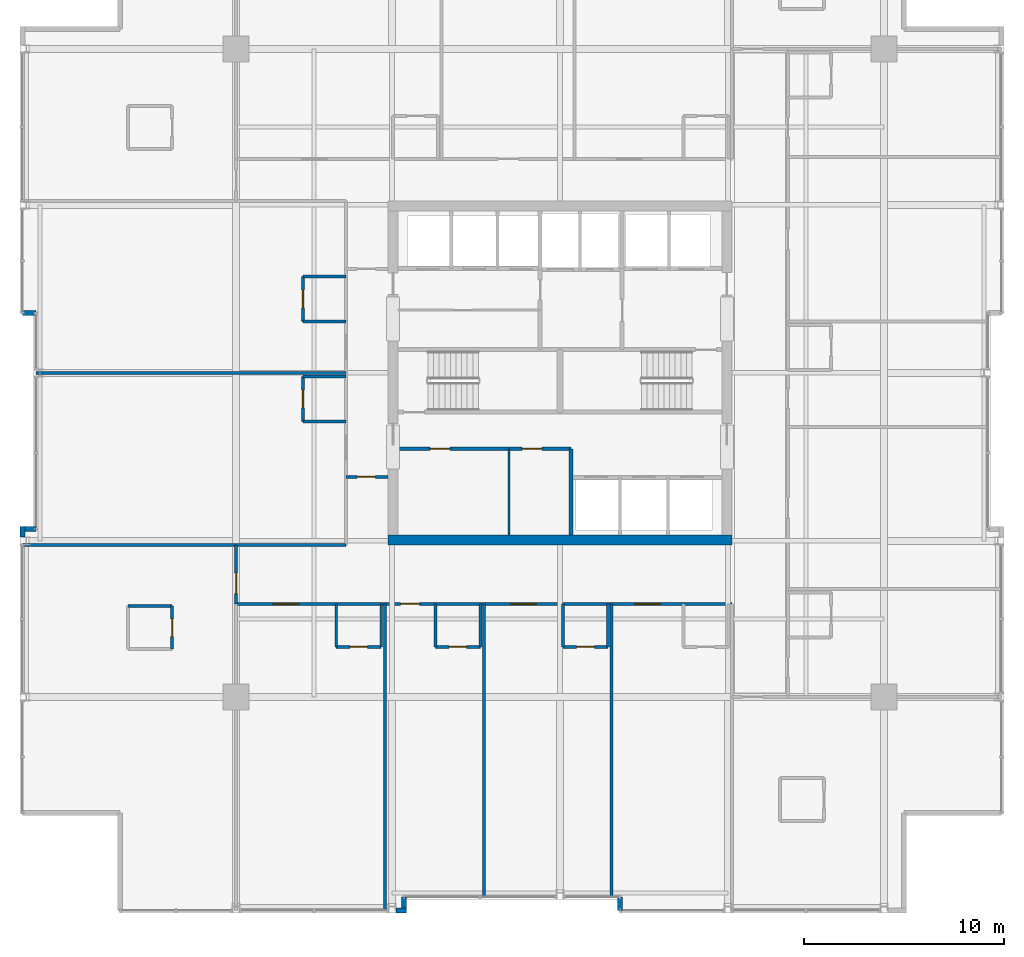
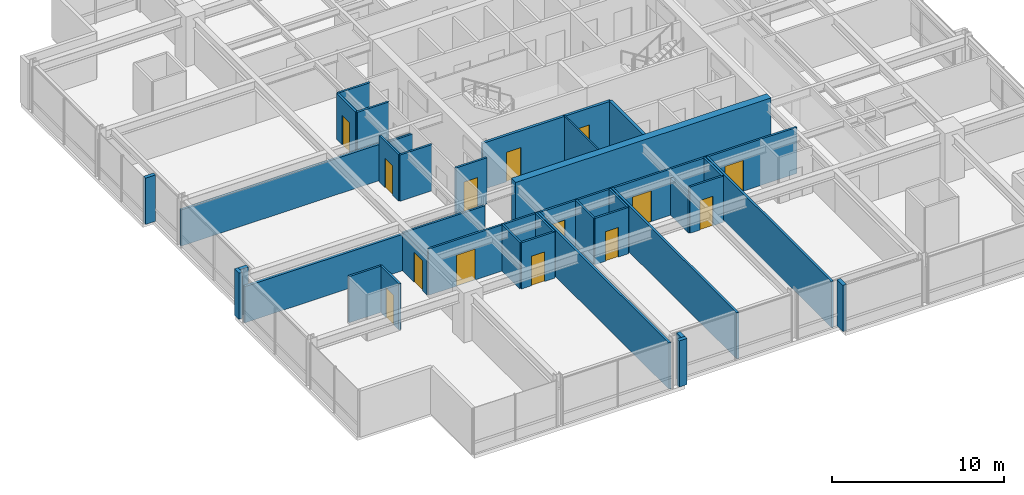
# One storey, part 27 of 33: 36 walls, 14 doors, 14 openings.
"""IFC4 building model written with IfcOpenShell, lengths in metres."""

from ifc_helpers import new_model, si_unit, direction, frame, frame_2d, origin, place, context, subcontext, project, spatial, rectangle, extrude, material, layer, layer_set, type_object, element, fill, save


model = new_model("IFC4")

# Units and contexts
model_context = context("Model", 3, precision=1e-05, world=origin(), true_north=direction((0.0, 1.0)))
body_context = subcontext(model_context, "Body", "Model", "MODEL_VIEW")
ifc_project = project(units=[si_unit("LENGTHUNIT", "METRE"), si_unit("AREAUNIT", "SQUARE_METRE"), si_unit("VOLUMEUNIT", "CUBIC_METRE"), si_unit("PLANEANGLEUNIT", "RADIAN"), si_unit("MASSUNIT", "GRAM", prefix="KILO")], contexts=[model_context])

# Site, building, storey
site_placement = place(None, origin())
site = spatial("IfcSite", under=ifc_project, at=site_placement, CompositionType="ELEMENT")
building_placement = place(site_placement, origin())
building = spatial("IfcBuilding", under=site, at=building_placement, Name="Drelvath Grand Hotel", CompositionType="ELEMENT")
storey_placement = place(building_placement, frame((0.0, 0.0, 171.699951171875)))
storey = spatial("IfcBuildingStorey", under=building, at=storey_placement, Name="L44", CompositionType="ELEMENT", Elevation=171.699951171875)

# Walls
ifc_material_1 = material(Name="Gypsum Partition Board")
ifc_layer_1 = layer(ifc_material_1, 0.10009765625)
ifc_layer_set_1 = layer_set([ifc_layer_1], Name="Gypsum Partition Board")
wall_type_1 = type_object("IfcWallType", Name="Core Closet Partition 100", PredefinedType="PARTITIONING", material=ifc_layer_set_1)
wall_1_placement = place(storey_placement, frame((-2.5400390625, 18.89990234375, 0.0), z_axis=(0.0, 0.0, 1.0), x_axis=(0.0, 1.0, 0.0)))
element("IfcWall", 1, at=wall_1_placement, inside=storey, type_object=wall_type_1, Name="L44 Reclaimed Core Split Wall", PredefinedType="PARTITIONING", context=body_context, shape_type="SweptSolid", body=[
    extrude(rectangle(XDim=4.300048828125, YDim=0.10009765625, at=frame_2d((2.14990234375, 0.0))), origin(), (0.0, 0.0, 1.0), 3.2900390625),
])
ifc_material_2 = material(Name="Concrete C40/50", Category="concrete")
ifc_layer_2 = layer(ifc_material_2, 0.199951171875)
ifc_layer_set_2 = layer_set([ifc_layer_2], Name="Concrete C40/50")
wall_type_2 = type_object("IfcWallType", Name="Core Hoistway Fire Wall 200", PredefinedType="SOLIDWALL", material=ifc_layer_set_2)
wall_2_placement = place(storey_placement, frame((0.550048828125, 18.89990234375, 0.0), z_axis=(0.0, 0.0, 1.0), x_axis=(0.0, 1.0, 0.0)))
element("IfcWall", 2, at=wall_2_placement, inside=storey, type_object=wall_type_2, Name="L44 Bank 2 West Wall", PredefinedType="SOLIDWALL", context=body_context, shape_type="SweptSolid", body=[
    extrude(rectangle(XDim=4.300048828125, YDim=0.199951171875, at=frame_2d((2.14990234375, 0.0))), origin(), (0.0, 0.0, 1.0), 3.2900390625),
])

# Wall, opening, door
ifc_material_3 = material(Name="Gypsum Fireboard Partition")
ifc_layer_3 = layer(ifc_material_3, 0.135009765625)
ifc_layer_set_3 = layer_set([ifc_layer_3], Name="Gypsum Fireboard Partition")
wall_type_3 = type_object("IfcWallType", Name="Corridor Fire Barrier Wall 135", PredefinedType="PARTITIONING", material=ifc_layer_set_3)
wall_3_placement = place(storey_placement, frame((-10.699951171875, 21.800048828125, 0.0), z_axis=(0.0, 0.0, 1.0), x_axis=(1.0, 0.0, 0.0)))
wall_3 = element("IfcWall", 3, at=wall_3_placement, inside=storey, type_object=wall_type_3, Name="L44 West Foyer South Wall", PredefinedType="PARTITIONING", context=body_context, shape_type="SweptSolid", body=[
    extrude(rectangle(XDim=2.099853515625, YDim=0.135009765625, at=frame_2d((1.0498046875, 0.0))), origin(), (0.0, 0.0, 1.0), 3.2900390625),
])
opening_1_placement = place(wall_3_placement, frame((0.550048828125, 0.0, 0.0)))
opening_1 = element("IfcOpeningElement", 4, at=opening_1_placement, cuts=wall_3, Name="Opening D-T3G3-022", PredefinedType="OPENING", context=body_context, shape_type="SweptSolid", body=[
    extrude(rectangle(XDim=0.919921875, YDim=2.10009765625, at=frame_2d((0.4599609375, 1.050048828125))), frame((0.0, 0.077392578125, 0.0), z_axis=(0.0, -1.0, 0.0), x_axis=(1.0, 0.0, 0.0)), (0.0, 0.0, 1.0), 0.155029296875),
])
ifc_material_4 = material(Name="Painted Steel S275", Category="steel")
door_type_1 = type_object("IfcDoorType", Name="Staff Utility Door 920x2100", OperationType="NOTDEFINED", PredefinedType="DOOR", material=ifc_material_4)
door_1_placement = place(opening_1_placement, origin())
door_1 = element("IfcDoor", 5, at=door_1_placement, inside=storey, type_object=door_type_1, Name="L44 West Linen Closet Door", OperationType="SINGLE_SWING_RIGHT", OverallHeight=2.10009765625, OverallWidth=0.919921875, PredefinedType="DOOR", context=body_context, shape_type="SweptSolid", body=[
    extrude(rectangle(XDim=0.919921875, YDim=2.10009765625, at=frame_2d((0.4599609375, 1.050048828125))), frame((0.0, 0.02490234375, 0.0), z_axis=(0.0, -1.0, 0.0), x_axis=(1.0, 0.0, 0.0)), (0.0, 0.0, 1.0), 0.050048828125),
])
fill(opening_1, door_1)

# Wall
wall_4_placement = place(storey_placement, frame((-16.199951171875, 18.39990234375, 0.0), z_axis=(0.0, 0.0, 1.0), x_axis=(1.0, 0.0, 0.0)))
element("IfcWall", 6, at=wall_4_placement, inside=storey, type_object=wall_type_3, Name="L44 SW Stub North Wall", PredefinedType="PARTITIONING", context=body_context, shape_type="SweptSolid", body=[
    extrude(rectangle(XDim=5.5, YDim=0.135009765625, at=frame_2d((2.75, 0.0))), origin(), (0.0, 0.0, 1.0), 2.66748046875),
])

# Wall, openings, doors
wall_5_placement = place(storey_placement, frame((-16.199951171875, 15.449951171875, 0.0), z_axis=(0.0, 0.0, 1.0), x_axis=(1.0, 0.0, 0.0)))
wall_5 = element("IfcWall", 7, at=wall_5_placement, inside=storey, type_object=wall_type_3, Name="L44 South Stub Corridor Wall", PredefinedType="PARTITIONING", context=body_context, shape_type="SweptSolid", body=[
    extrude(rectangle(XDim=24.800048828125, YDim=0.135009765625, at=frame_2d((12.39990234375, 0.0))), origin(), (0.0, 0.0, 1.0), 3.2900390625),
])
opening_2_placement = place(wall_5_placement, frame((1.875, 0.0, 0.0)))
opening_2 = element("IfcOpeningElement", 8, at=opening_2_placement, cuts=wall_5, Name="Opening D-T3G3-033", PredefinedType="OPENING", context=body_context, shape_type="SweptSolid", body=[
    extrude(rectangle(XDim=1.260009765625, YDim=2.199951171875, at=frame_2d((0.6298828125, 1.10009765625))), frame((0.0, 0.077392578125, 0.0), z_axis=(0.0, -1.0, 0.0), x_axis=(1.0, 0.0, 0.0)), (0.0, 0.0, 1.0), 0.155029296875),
])
opening_3_placement = place(wall_5_placement, frame((8.22509765625, 0.0, 0.0)))
opening_3 = element("IfcOpeningElement", 9, at=opening_3_placement, cuts=wall_5, Name="Opening D-T3G3-035", PredefinedType="OPENING", context=body_context, shape_type="SweptSolid", body=[
    extrude(rectangle(XDim=0.9599609375, YDim=2.14990234375, at=frame_2d((0.47998046875, 1.074951171875))), frame((0.0, 0.077392578125, 0.0), z_axis=(0.0, -1.0, 0.0), x_axis=(1.0, 0.0, 0.0)), (0.0, 0.0, 1.0), 0.155029296875),
])
opening_4_placement = place(wall_5_placement, frame((13.7451171875, 0.0, 0.0)))
opening_4 = element("IfcOpeningElement", 10, at=opening_4_placement, cuts=wall_5, Name="Opening D-T3G3-037", PredefinedType="OPENING", context=body_context, shape_type="SweptSolid", body=[
    extrude(rectangle(XDim=1.260009765625, YDim=2.199951171875, at=frame_2d((0.6298828125, 1.10009765625))), frame((0.0, 0.077392578125, 0.0), z_axis=(0.0, -1.0, 0.0), x_axis=(1.0, 0.0, 0.0)), (0.0, 0.0, 1.0), 0.155029296875),
])
opening_5_placement = place(wall_5_placement, frame((19.945068359375, 0.0, 0.0)))
opening_5 = element("IfcOpeningElement", 11, at=opening_5_placement, cuts=wall_5, Name="Opening D-T3G3-039", PredefinedType="OPENING", context=body_context, shape_type="SweptSolid", body=[
    extrude(rectangle(XDim=1.260009765625, YDim=2.199951171875, at=frame_2d((0.6298828125, 1.10009765625))), frame((0.0, 0.077392578125, 0.0), z_axis=(0.0, -1.0, 0.0), x_axis=(1.0, 0.0, 0.0)), (0.0, 0.0, 1.0), 0.155029296875),
])
ifc_material_5 = material(Name="Hardwood Walnut Timber", Category="wood")
door_type_2 = type_object("IfcDoorType", Name="Guestroom Entrance Fire Door 960x2150", OperationType="NOTDEFINED", PredefinedType="DOOR", material=ifc_material_5)
door_2_placement = place(opening_3_placement, origin())
door_2 = element("IfcDoor", 12, at=door_2_placement, inside=storey, type_object=door_type_2, Name="L44 King Guest Room Entry Door", OperationType="SINGLE_SWING_LEFT", OverallHeight=2.14990234375, OverallWidth=0.9599609375, PredefinedType="DOOR", context=body_context, shape_type="SweptSolid", body=[
    extrude(rectangle(XDim=0.9599609375, YDim=2.14990234375, at=frame_2d((0.47998046875, 1.074951171875))), frame((0.0, 0.02490234375, 0.0), z_axis=(0.0, -1.0, 0.0), x_axis=(1.0, 0.0, 0.0)), (0.0, 0.0, 1.0), 0.050048828125),
])
fill(opening_3, door_2)
door_type_3 = type_object("IfcDoorType", Name="Suite Entrance Fire Door 1260x2200", OperationType="NOTDEFINED", PredefinedType="DOOR", material=ifc_material_5)
door_3_placement = place(opening_2_placement, origin())
door_3 = element("IfcDoor", 13, at=door_3_placement, inside=storey, type_object=door_type_3, Name="L44 Executive Suite Entry Door", OperationType="SINGLE_SWING_LEFT", OverallHeight=2.199951171875, OverallWidth=1.260009765625, PredefinedType="DOOR", context=body_context, shape_type="SweptSolid", body=[
    extrude(rectangle(XDim=1.260009765625, YDim=2.199951171875, at=frame_2d((0.6298828125, 1.10009765625))), frame((0.0, 0.02490234375, 0.0), z_axis=(0.0, -1.0, 0.0), x_axis=(1.0, 0.0, 0.0)), (0.0, 0.0, 1.0), 0.050048828125),
])
fill(opening_2, door_3)
door_4_placement = place(opening_4_placement, origin())
door_4 = element("IfcDoor", 14, at=door_4_placement, inside=storey, type_object=door_type_3, Name="L44 Executive Suite Entry Door", OperationType="SINGLE_SWING_LEFT", OverallHeight=2.199951171875, OverallWidth=1.260009765625, PredefinedType="DOOR", context=body_context, shape_type="SweptSolid", body=[
    extrude(rectangle(XDim=1.260009765625, YDim=2.199951171875, at=frame_2d((0.6298828125, 1.10009765625))), frame((0.0, 0.02490234375, 0.0), z_axis=(0.0, -1.0, 0.0), x_axis=(1.0, 0.0, 0.0)), (0.0, 0.0, 1.0), 0.050048828125),
])
fill(opening_4, door_4)
door_5_placement = place(opening_5_placement, origin())
door_5 = element("IfcDoor", 15, at=door_5_placement, inside=storey, type_object=door_type_3, Name="L44 Executive Suite Entry Door", OperationType="SINGLE_SWING_LEFT", OverallHeight=2.199951171875, OverallWidth=1.260009765625, PredefinedType="DOOR", context=body_context, shape_type="SweptSolid", body=[
    extrude(rectangle(XDim=1.260009765625, YDim=2.199951171875, at=frame_2d((0.6298828125, 1.10009765625))), frame((0.0, 0.02490234375, 0.0), z_axis=(0.0, -1.0, 0.0), x_axis=(1.0, 0.0, 0.0)), (0.0, 0.0, 1.0), 0.050048828125),
])
fill(opening_5, door_5)

# Wall, opening, door
wall_6_placement = place(storey_placement, frame((-16.199951171875, 15.449951171875, 0.0), z_axis=(0.0, 0.0, 1.0), x_axis=(0.0, 1.0, 0.0)))
wall_6 = element("IfcWall", 16, at=wall_6_placement, inside=storey, type_object=wall_type_3, Name="L44 South Stub West End", PredefinedType="PARTITIONING", context=body_context, shape_type="SweptSolid", body=[
    extrude(rectangle(XDim=2.949951171875, YDim=0.135009765625, at=frame_2d((1.47509765625, 0.0))), origin(), (0.0, 0.0, 1.0), 2.57958984375),
])
opening_6_placement = place(wall_6_placement, frame((0.52001953125, 0.0, 0.0)))
opening_6 = element("IfcOpeningElement", 17, at=opening_6_placement, cuts=wall_6, Name="Opening D-T3G3-025", PredefinedType="OPENING", context=body_context, shape_type="SweptSolid", body=[
    extrude(rectangle(XDim=1.02001953125, YDim=2.14990234375, at=frame_2d((0.510009765625, 1.074951171875))), frame((0.0, 0.077392578125, 0.0), z_axis=(0.0, -1.0, 0.0), x_axis=(1.0, 0.0, 0.0)), (0.0, 0.0, 1.0), 0.155029296875),
])
door_type_4 = type_object("IfcDoorType", Name="Amenity Meeting Fire Door 1020x2150", OperationType="NOTDEFINED", PredefinedType="DOOR", material=ifc_material_5)
door_6_placement = place(opening_6_placement, origin())
door_6 = element("IfcDoor", 18, at=door_6_placement, inside=storey, type_object=door_type_4, Name="L44 Executive Suite Entry Door", OperationType="SINGLE_SWING_LEFT", OverallHeight=2.14990234375, OverallWidth=1.02001953125, PredefinedType="DOOR", context=body_context, shape_type="SweptSolid", body=[
    extrude(rectangle(XDim=1.02001953125, YDim=2.14990234375, at=frame_2d((0.510009765625, 1.074951171875))), frame((0.0, 0.02490234375, 0.0), z_axis=(0.0, -1.0, 0.0), x_axis=(1.0, 0.0, 0.0)), (0.0, 0.0, 1.0), 0.050048828125),
])
fill(opening_6, door_6)

# Wall
ifc_material_6 = material(Name="Moisture-Resistant Gypsum Board")
ifc_layer_4 = layer(ifc_material_6, 0.139892578125)
ifc_layer_set_4 = layer_set([ifc_layer_4], Name="Moisture-Resistant Gypsum Board")
wall_type_4 = type_object("IfcWallType", Name="En-Suite Plumbing Wall 140", PredefinedType="PLUMBINGWALL", material=ifc_layer_set_4)
wall_7_placement = place(storey_placement, frame((-21.60009765625, 15.35009765625, 0.0), z_axis=(0.0, 0.0, 1.0), x_axis=(1.0, 0.0, 0.0)))
element("IfcWall", 19, at=wall_7_placement, inside=storey, type_object=wall_type_4, Name="L44 Corner En-Suite North", PredefinedType="PLUMBINGWALL", context=body_context, shape_type="SweptSolid", body=[
    extrude(rectangle(XDim=2.2001953125, YDim=0.139892578125, at=frame_2d((1.10009765625, 0.0))), origin(), (0.0, 0.0, 1.0), 3.2900390625),
])

# Wall, opening, door
wall_8_placement = place(storey_placement, frame((-19.39990234375, 13.199951171875, 0.0), z_axis=(0.0, 0.0, 1.0), x_axis=(0.0, 1.0, 0.0)))
wall_8 = element("IfcWall", 20, at=wall_8_placement, inside=storey, type_object=wall_type_4, Name="L44 Corner En-Suite East", PredefinedType="PLUMBINGWALL", context=body_context, shape_type="SweptSolid", body=[
    extrude(rectangle(XDim=2.150146484375, YDim=0.139892578125, at=frame_2d((1.0751953125, 0.0))), origin(), (0.0, 0.0, 1.0), 3.2900390625),
])
opening_7_placement = place(wall_8_placement, frame((0.6201171875, 0.0, 0.0)))
opening_7 = element("IfcOpeningElement", 21, at=opening_7_placement, cuts=wall_8, Name="Opening D-T3G3-024", PredefinedType="OPENING", context=body_context, shape_type="SweptSolid", body=[
    extrude(rectangle(XDim=0.8798828125, YDim=2.10009765625, at=frame_2d((0.43994140625, 1.050048828125))), frame((0.0, 0.079833984375, 0.0), z_axis=(0.0, -1.0, 0.0), x_axis=(1.0, 0.0, 0.0)), (0.0, 0.0, 1.0), 0.159912109375),
])
door_type_5 = type_object("IfcDoorType", Name="En-Suite Bathroom Door 880x2100", OperationType="NOTDEFINED", PredefinedType="DOOR", material=ifc_material_5)
door_7_placement = place(opening_7_placement, origin())
door_7 = element("IfcDoor", 22, at=door_7_placement, inside=storey, type_object=door_type_5, Name="L44 Corner En-Suite Door", OperationType="SINGLE_SWING_RIGHT", OverallHeight=2.10009765625, OverallWidth=0.8798828125, PredefinedType="DOOR", context=body_context, shape_type="SweptSolid", body=[
    extrude(rectangle(XDim=0.8798828125, YDim=2.10009765625, at=frame_2d((0.43994140625, 1.050048828125))), frame((0.0, 0.02490234375, 0.0), z_axis=(0.0, -1.0, 0.0), x_axis=(1.0, 0.0, 0.0)), (0.0, 0.0, 1.0), 0.050048828125),
])
fill(opening_7, door_7)

# Walls
for number, where, z_axis, x_axis, name in (
    (23, (-11.18994140625, 15.449951171875, 0.0), (0.0, 0.0, 1.0), (0.0, -1.0, 0.0), "L44 En-Suite Left Wall"),
    (24, (-8.93994140625, 15.449951171875, 0.0), (0.0, 0.0, 1.0), (0.0, -1.0, 0.0), "L44 En-Suite Right Wall"),
):
    element("IfcWall", number, at=place(storey_placement, frame(where, z_axis=z_axis, x_axis=x_axis)), inside=storey, type_object=wall_type_4, Name=name, PredefinedType="PLUMBINGWALL", context=body_context, shape_type="SweptSolid", body=[
        extrude(rectangle(XDim=2.14990234375, YDim=0.139892578125, at=frame_2d((1.074951171875, 0.0))), origin(), (0.0, 0.0, 1.0), 3.2900390625),
    ])

# Wall, opening, door
wall_9_placement = place(storey_placement, frame((-11.18994140625, 13.300048828125, 0.0), z_axis=(0.0, 0.0, 1.0), x_axis=(1.0, 0.0, 0.0)))
wall_9 = element("IfcWall", 25, at=wall_9_placement, inside=storey, type_object=wall_type_4, Name="L44 En-Suite Front Wall", PredefinedType="PLUMBINGWALL", context=body_context, shape_type="SweptSolid", body=[
    extrude(rectangle(XDim=2.25, YDim=0.139892578125, at=frame_2d((1.125, 0.0))), origin(), (0.0, 0.0, 1.0), 3.2900390625),
])
opening_8_placement = place(wall_9_placement, frame((0.68505859375, 0.0, 0.0)))
opening_8 = element("IfcOpeningElement", 26, at=opening_8_placement, cuts=wall_9, Name="Opening D-T3G3-032", PredefinedType="OPENING", context=body_context, shape_type="SweptSolid", body=[
    extrude(rectangle(XDim=0.8798828125, YDim=2.10009765625, at=frame_2d((0.43994140625, 1.050048828125))), frame((0.0, 0.079833984375, 0.0), z_axis=(0.0, -1.0, 0.0), x_axis=(1.0, 0.0, 0.0)), (0.0, 0.0, 1.0), 0.159912109375),
])
door_8_placement = place(opening_8_placement, origin())
door_8 = element("IfcDoor", 27, at=door_8_placement, inside=storey, type_object=door_type_5, Name="L44 En-Suite Bathroom Door", OperationType="SINGLE_SWING_RIGHT", OverallHeight=2.10009765625, OverallWidth=0.8798828125, PredefinedType="DOOR", context=body_context, shape_type="SweptSolid", body=[
    extrude(rectangle(XDim=0.8798828125, YDim=2.10009765625, at=frame_2d((0.43994140625, 1.050048828125))), frame((0.0, 0.02490234375, 0.0), z_axis=(0.0, -1.0, 0.0), x_axis=(1.0, 0.0, 0.0)), (0.0, 0.0, 1.0), 0.050048828125),
])
fill(opening_8, door_8)

# Walls
for number, where, z_axis, x_axis, name in (
    (28, (-6.22998046875, 15.449951171875, 0.0), (0.0, 0.0, 1.0), (0.0, -1.0, 0.0), "L44 En-Suite Left Wall"),
    (29, (-3.97998046875, 15.449951171875, 0.0), (0.0, 0.0, 1.0), (0.0, -1.0, 0.0), "L44 En-Suite Right Wall"),
):
    element("IfcWall", number, at=place(storey_placement, frame(where, z_axis=z_axis, x_axis=x_axis)), inside=storey, type_object=wall_type_4, Name=name, PredefinedType="PLUMBINGWALL", context=body_context, shape_type="SweptSolid", body=[
        extrude(rectangle(XDim=2.14990234375, YDim=0.139892578125, at=frame_2d((1.074951171875, 0.0))), origin(), (0.0, 0.0, 1.0), 3.2900390625),
    ])

# Wall, opening, door
wall_10_placement = place(storey_placement, frame((-6.22998046875, 13.300048828125, 0.0), z_axis=(0.0, 0.0, 1.0), x_axis=(1.0, 0.0, 0.0)))
wall_10 = element("IfcWall", 30, at=wall_10_placement, inside=storey, type_object=wall_type_4, Name="L44 En-Suite Front Wall", PredefinedType="PLUMBINGWALL", context=body_context, shape_type="SweptSolid", body=[
    extrude(rectangle(XDim=2.25, YDim=0.139892578125, at=frame_2d((1.125, 0.0))), origin(), (0.0, 0.0, 1.0), 3.2900390625),
])
opening_9_placement = place(wall_10_placement, frame((0.68505859375, 0.0, 0.0)))
opening_9 = element("IfcOpeningElement", 31, at=opening_9_placement, cuts=wall_10, Name="Opening D-T3G3-034", PredefinedType="OPENING", context=body_context, shape_type="SweptSolid", body=[
    extrude(rectangle(XDim=0.8798828125, YDim=2.10009765625, at=frame_2d((0.43994140625, 1.050048828125))), frame((0.0, 0.079833984375, 0.0), z_axis=(0.0, -1.0, 0.0), x_axis=(1.0, 0.0, 0.0)), (0.0, 0.0, 1.0), 0.159912109375),
])
door_9_placement = place(opening_9_placement, origin())
door_9 = element("IfcDoor", 32, at=door_9_placement, inside=storey, type_object=door_type_5, Name="L44 En-Suite Bathroom Door", OperationType="SINGLE_SWING_RIGHT", OverallHeight=2.10009765625, OverallWidth=0.8798828125, PredefinedType="DOOR", context=body_context, shape_type="SweptSolid", body=[
    extrude(rectangle(XDim=0.8798828125, YDim=2.10009765625, at=frame_2d((0.43994140625, 1.050048828125))), frame((0.0, 0.02490234375, 0.0), z_axis=(0.0, -1.0, 0.0), x_axis=(1.0, 0.0, 0.0)), (0.0, 0.0, 1.0), 0.050048828125),
])
fill(opening_9, door_9)

# Walls
wall_11_placement = place(storey_placement, frame((0.14990234375, 15.449951171875, 0.0), z_axis=(0.0, 0.0, 1.0), x_axis=(0.0, -1.0, 0.0)))
element("IfcWall", 33, at=wall_11_placement, inside=storey, type_object=wall_type_4, Name="L44 En-Suite Left Wall", PredefinedType="PLUMBINGWALL", context=body_context, shape_type="SweptSolid", body=[
    extrude(rectangle(XDim=2.14990234375, YDim=0.139892578125, at=frame_2d((1.074951171875, 0.0))), origin(), (0.0, 0.0, 1.0), 2.66748046875),
])
wall_12_placement = place(storey_placement, frame((2.39990234375, 15.449951171875, 0.0), z_axis=(0.0, 0.0, 1.0), x_axis=(0.0, -1.0, 0.0)))
element("IfcWall", 34, at=wall_12_placement, inside=storey, type_object=wall_type_4, Name="L44 En-Suite Right Wall", PredefinedType="PLUMBINGWALL", context=body_context, shape_type="SweptSolid", body=[
    extrude(rectangle(XDim=2.14990234375, YDim=0.139892578125, at=frame_2d((1.074951171875, 0.0))), origin(), (0.0, 0.0, 1.0), 3.2900390625),
])

# Wall, opening, door
wall_13_placement = place(storey_placement, frame((0.14990234375, 13.300048828125, 0.0), z_axis=(0.0, 0.0, 1.0), x_axis=(1.0, 0.0, 0.0)))
wall_13 = element("IfcWall", 35, at=wall_13_placement, inside=storey, type_object=wall_type_4, Name="L44 En-Suite Front Wall", PredefinedType="PLUMBINGWALL", context=body_context, shape_type="SweptSolid", body=[
    extrude(rectangle(XDim=2.25, YDim=0.139892578125, at=frame_2d((1.125, 0.0))), origin(), (0.0, 0.0, 1.0), 3.2900390625),
])
opening_10_placement = place(wall_13_placement, frame((0.68505859375, 0.0, 0.0)))
opening_10 = element("IfcOpeningElement", 36, at=opening_10_placement, cuts=wall_13, Name="Opening D-T3G3-036", PredefinedType="OPENING", context=body_context, shape_type="SweptSolid", body=[
    extrude(rectangle(XDim=0.8798828125, YDim=2.10009765625, at=frame_2d((0.43994140625, 1.050048828125))), frame((0.0, 0.079833984375, 0.0), z_axis=(0.0, -1.0, 0.0), x_axis=(1.0, 0.0, 0.0)), (0.0, 0.0, 1.0), 0.159912109375),
])
door_10_placement = place(opening_10_placement, origin())
door_10 = element("IfcDoor", 37, at=door_10_placement, inside=storey, type_object=door_type_5, Name="L44 En-Suite Bathroom Door", OperationType="SINGLE_SWING_RIGHT", OverallHeight=2.10009765625, OverallWidth=0.8798828125, PredefinedType="DOOR", context=body_context, shape_type="SweptSolid", body=[
    extrude(rectangle(XDim=0.8798828125, YDim=2.10009765625, at=frame_2d((0.43994140625, 1.050048828125))), frame((0.0, 0.02490234375, 0.0), z_axis=(0.0, -1.0, 0.0), x_axis=(1.0, 0.0, 0.0)), (0.0, 0.0, 1.0), 0.050048828125),
])
fill(opening_10, door_10)

# Walls
wall_14_placement = place(storey_placement, frame((-10.699951171875, 24.570068359375, 0.0), z_axis=(0.0, 0.0, 1.0), x_axis=(-1.0, 0.0, 0.0)))
element("IfcWall", 38, at=wall_14_placement, inside=storey, type_object=wall_type_4, Name="L44 En-Suite Left Wall", PredefinedType="PLUMBINGWALL", context=body_context, shape_type="SweptSolid", body=[
    extrude(rectangle(XDim=2.150146484375, YDim=0.139892578125, at=frame_2d((1.0751953125, 0.0))), origin(), (0.0, 0.0, 1.0), 3.2900390625),
])
wall_15_placement = place(storey_placement, frame((-10.699951171875, 26.820068359375, 0.0), z_axis=(0.0, 0.0, 1.0), x_axis=(-1.0, 0.0, 0.0)))
element("IfcWall", 39, at=wall_15_placement, inside=storey, type_object=wall_type_4, Name="L44 En-Suite Right Wall", PredefinedType="PLUMBINGWALL", context=body_context, shape_type="SweptSolid", body=[
    extrude(rectangle(XDim=2.150146484375, YDim=0.139892578125, at=frame_2d((1.0751953125, 0.0))), origin(), (0.0, 0.0, 1.0), 2.66748046875),
])

# Wall, opening, door
wall_16_placement = place(storey_placement, frame((-12.85009765625, 24.570068359375, 0.0), z_axis=(0.0, 0.0, 1.0), x_axis=(0.0, 1.0, 0.0)))
wall_16 = element("IfcWall", 40, at=wall_16_placement, inside=storey, type_object=wall_type_4, Name="L44 En-Suite Front Wall", PredefinedType="PLUMBINGWALL", context=body_context, shape_type="SweptSolid", body=[
    extrude(rectangle(XDim=2.25, YDim=0.139892578125, at=frame_2d((1.125, 0.0))), origin(), (0.0, 0.0, 1.0), 3.2900390625),
])
opening_11_placement = place(wall_16_placement, frame((0.68505859375, 0.0, 0.0)))
opening_11 = element("IfcOpeningElement", 41, at=opening_11_placement, cuts=wall_16, Name="Opening D-T3G3-053", PredefinedType="OPENING", context=body_context, shape_type="SweptSolid", body=[
    extrude(rectangle(XDim=0.8798828125, YDim=2.10009765625, at=frame_2d((0.43994140625, 1.050048828125))), frame((0.0, 0.079833984375, 0.0), z_axis=(0.0, -1.0, 0.0), x_axis=(1.0, 0.0, 0.0)), (0.0, 0.0, 1.0), 0.159912109375),
])
door_11_placement = place(opening_11_placement, origin())
door_11 = element("IfcDoor", 42, at=door_11_placement, inside=storey, type_object=door_type_5, Name="L44 En-Suite Bathroom Door", OperationType="SINGLE_SWING_LEFT", OverallHeight=2.10009765625, OverallWidth=0.8798828125, PredefinedType="DOOR", context=body_context, shape_type="SweptSolid", body=[
    extrude(rectangle(XDim=0.8798828125, YDim=2.10009765625, at=frame_2d((0.43994140625, 1.050048828125))), frame((0.0, 0.02490234375, 0.0), z_axis=(0.0, -1.0, 0.0), x_axis=(1.0, 0.0, 0.0)), (0.0, 0.0, 1.0), 0.050048828125),
])
fill(opening_11, door_11)

# Walls
for number, where, z_axis, x_axis, name in (
    (43, (-10.699951171875, 29.570068359375, 0.0), (0.0, 0.0, 1.0), (-1.0, 0.0, 0.0), "L44 En-Suite Left Wall"),
    (44, (-10.699951171875, 31.820068359375, 0.0), (0.0, 0.0, 1.0), (-1.0, 0.0, 0.0), "L44 En-Suite Right Wall"),
):
    element("IfcWall", number, at=place(storey_placement, frame(where, z_axis=z_axis, x_axis=x_axis)), inside=storey, type_object=wall_type_4, Name=name, PredefinedType="PLUMBINGWALL", context=body_context, shape_type="SweptSolid", body=[
        extrude(rectangle(XDim=2.150146484375, YDim=0.139892578125, at=frame_2d((1.0751953125, 0.0))), origin(), (0.0, 0.0, 1.0), 3.2900390625),
    ])

# Wall, opening, door
wall_17_placement = place(storey_placement, frame((-12.85009765625, 29.570068359375, 0.0), z_axis=(0.0, 0.0, 1.0), x_axis=(0.0, 1.0, 0.0)))
wall_17 = element("IfcWall", 45, at=wall_17_placement, inside=storey, type_object=wall_type_4, Name="L44 En-Suite Front Wall", PredefinedType="PLUMBINGWALL", context=body_context, shape_type="SweptSolid", body=[
    extrude(rectangle(XDim=2.25, YDim=0.139892578125, at=frame_2d((1.125, 0.0))), origin(), (0.0, 0.0, 1.0), 3.2900390625),
])
opening_12_placement = place(wall_17_placement, frame((0.68505859375, 0.0, 0.0)))
opening_12 = element("IfcOpeningElement", 46, at=opening_12_placement, cuts=wall_17, Name="Opening D-T3G3-055", PredefinedType="OPENING", context=body_context, shape_type="SweptSolid", body=[
    extrude(rectangle(XDim=0.8798828125, YDim=2.10009765625, at=frame_2d((0.43994140625, 1.050048828125))), frame((0.0, 0.079833984375, 0.0), z_axis=(0.0, -1.0, 0.0), x_axis=(1.0, 0.0, 0.0)), (0.0, 0.0, 1.0), 0.159912109375),
])
door_12_placement = place(opening_12_placement, origin())
door_12 = element("IfcDoor", 47, at=door_12_placement, inside=storey, type_object=door_type_5, Name="L44 En-Suite Bathroom Door", OperationType="SINGLE_SWING_LEFT", OverallHeight=2.10009765625, OverallWidth=0.8798828125, PredefinedType="DOOR", context=body_context, shape_type="SweptSolid", body=[
    extrude(rectangle(XDim=0.8798828125, YDim=2.10009765625, at=frame_2d((0.43994140625, 1.050048828125))), frame((0.0, 0.02490234375, 0.0), z_axis=(0.0, -1.0, 0.0), x_axis=(1.0, 0.0, 0.0)), (0.0, 0.0, 1.0), 0.050048828125),
])
fill(opening_12, door_12)

# Wall, openings, doors
ifc_layer_5 = layer(ifc_material_3, 0.179931640625)
ifc_layer_set_5 = layer_set([ifc_layer_5], Name="Gypsum Fireboard Partition")
wall_type_5 = type_object("IfcWallType", Name="FSAE Smoke Lobby Fire Wall 180", PredefinedType="SOLIDWALL", material=ifc_layer_set_5)
wall_18_placement = place(storey_placement, frame((-8.10009765625, 23.199951171875, 0.0), z_axis=(0.0, 0.0, 1.0), x_axis=(1.0, 0.0, 0.0)))
wall_18 = element("IfcWall", 48, at=wall_18_placement, inside=storey, type_object=wall_type_5, Name="L44 Reclaimed Core Room Wall", PredefinedType="SOLIDWALL", context=body_context, shape_type="SweptSolid", body=[
    extrude(rectangle(XDim=8.650146484375, YDim=0.179931640625, at=frame_2d((4.3251953125, 0.0))), origin(), (0.0, 0.0, 1.0), 3.2900390625),
])
opening_13_placement = place(wall_18_placement, frame((1.60009765625, 0.0, 0.0)))
opening_13 = element("IfcOpeningElement", 49, at=opening_13_placement, cuts=wall_18, Name="Opening D-T3G3-020", PredefinedType="OPENING", context=body_context, shape_type="SweptSolid", body=[
    extrude(rectangle(XDim=1.0, YDim=2.10009765625, at=frame_2d((0.5, 1.050048828125))), frame((0.0, 0.099853515625, 0.0), z_axis=(0.0, -1.0, 0.0), x_axis=(1.0, 0.0, 0.0)), (0.0, 0.0, 1.0), 0.199951171875),
])
opening_14_placement = place(wall_18_placement, frame((6.199951171875, 0.0, 0.0)))
opening_14 = element("IfcOpeningElement", 50, at=opening_14_placement, cuts=wall_18, Name="Opening D-T3G3-021", PredefinedType="OPENING", context=body_context, shape_type="SweptSolid", body=[
    extrude(rectangle(XDim=1.0, YDim=2.10009765625, at=frame_2d((0.5, 1.050048828125))), frame((0.0, 0.099853515625, 0.0), z_axis=(0.0, -1.0, 0.0), x_axis=(1.0, 0.0, 0.0)), (0.0, 0.0, 1.0), 0.199951171875),
])
door_type_6 = type_object("IfcDoorType", Name="Core Service Fire Door 1000x2100", OperationType="NOTDEFINED", PredefinedType="DOOR", material=ifc_material_4)
door_13_placement = place(opening_13_placement, origin())
door_13 = element("IfcDoor", 51, at=door_13_placement, inside=storey, type_object=door_type_6, Name="L44 Housekeeping Door", OperationType="SINGLE_SWING_RIGHT", OverallHeight=2.10009765625, OverallWidth=1.0, PredefinedType="DOOR", context=body_context, shape_type="SweptSolid", body=[
    extrude(rectangle(XDim=1.0, YDim=2.10009765625, at=frame_2d((0.5, 1.050048828125))), frame((0.0, 0.02490234375, 0.0), z_axis=(0.0, -1.0, 0.0), x_axis=(1.0, 0.0, 0.0)), (0.0, 0.0, 1.0), 0.050048828125),
])
fill(opening_13, door_13)
door_14_placement = place(opening_14_placement, origin())
door_14 = element("IfcDoor", 52, at=door_14_placement, inside=storey, type_object=door_type_6, Name="L44 Butler Pantry Door", OperationType="SINGLE_SWING_LEFT", OverallHeight=2.10009765625, OverallWidth=1.0, PredefinedType="DOOR", context=body_context, shape_type="SweptSolid", body=[
    extrude(rectangle(XDim=1.0, YDim=2.10009765625, at=frame_2d((0.5, 1.050048828125))), frame((0.0, 0.02490234375, 0.0), z_axis=(0.0, -1.0, 0.0), x_axis=(1.0, 0.0, 0.0)), (0.0, 0.0, 1.0), 0.050048828125),
])
fill(opening_14, door_14)

# Walls
ifc_material_7 = material(Name="Gypsum Acoustic Partition")
ifc_layer_6 = layer(ifc_material_7, 0.14990234375)
ifc_layer_set_6 = layer_set([ifc_layer_6], Name="Gypsum Acoustic Partition")
wall_type_6 = type_object("IfcWallType", Name="Guestroom Demising Wall 150", PredefinedType="PARTITIONING", material=ifc_layer_set_6)
wall_19_placement = place(storey_placement, frame((-8.760009765625, 0.1201171875, 0.0), z_axis=(0.0, 0.0, 1.0), x_axis=(0.0, 1.0, 0.0)))
element("IfcWall", 53, at=wall_19_placement, inside=storey, type_object=wall_type_6, Name="L44 South Demising 1", PredefinedType="PARTITIONING", context=body_context, shape_type="SweptSolid", body=[
    extrude(rectangle(XDim=15.329833984375, YDim=0.14990234375, at=frame_2d((7.6650390625, 0.0))), origin(), (0.0, 0.0, 1.0), 3.2900390625),
])
for number, where, z_axis, x_axis, name in (
    (54, (-3.800048828125, 0.800048828125, 0.0), (0.0, 0.0, 1.0), (0.0, 1.0, 0.0), "L44 South Demising 2"),
    (55, (2.580078125, 0.800048828125, 0.0), (0.0, 0.0, 1.0), (0.0, 1.0, 0.0), "L44 South Demising 3"),
):
    element("IfcWall", number, at=place(storey_placement, frame(where, z_axis=z_axis, x_axis=x_axis)), inside=storey, type_object=wall_type_6, Name=name, PredefinedType="PARTITIONING", context=body_context, shape_type="SweptSolid", body=[
        extrude(rectangle(XDim=14.64990234375, YDim=0.14990234375, at=frame_2d((7.324951171875, 0.0))), origin(), (0.0, 0.0, 1.0), 3.2900390625),
    ])
wall_20_placement = place(storey_placement, frame((-26.199951171875, 27.0, 0.0), z_axis=(0.0, 0.0, 1.0), x_axis=(1.0, 0.0, 0.0)))
element("IfcWall", 56, at=wall_20_placement, inside=storey, type_object=wall_type_6, Name="L44 West Suite Demising Wall", PredefinedType="PARTITIONING", context=body_context, shape_type="SweptSolid", body=[
    extrude(rectangle(XDim=15.5, YDim=0.14990234375, at=frame_2d((7.75, 0.0))), origin(), (0.0, 0.0, 1.0), 2.57958984375),
])
ifc_layer_7 = layer(ifc_material_7, 0.1650390625)
ifc_layer_set_7 = layer_set([ifc_layer_7], Name="Gypsum Acoustic Partition")
wall_type_7 = type_object("IfcWallType", Name="Suite Demising Wall 165", PredefinedType="PARTITIONING", material=ifc_layer_set_7)
wall_21_placement = place(storey_placement, frame((-26.8798828125, 18.39990234375, 0.0), z_axis=(0.0, 0.0, 1.0), x_axis=(1.0, 0.0, 0.0)))
element("IfcWall", 57, at=wall_21_placement, inside=storey, type_object=wall_type_7, Name="L44 SW Suite North Wall", PredefinedType="PARTITIONING", context=body_context, shape_type="SweptSolid", body=[
    extrude(rectangle(XDim=10.679931640625, YDim=0.1650390625, at=frame_2d((5.33984375, 0.0))), origin(), (0.0, 0.0, 1.0), 2.57958984375),
])
ifc_material_8 = material(Name="Pale-Metal Insulated Aluminium Spandrel Assembly", Category="aluminium")
ifc_layer_8 = layer(ifc_material_8, 0.239990234375)
ifc_layer_set_8 = layer_set([ifc_layer_8], Name="Pale-Metal Insulated Aluminium Spandrel Assembly")
wall_type_8 = type_object("IfcWallType", Name="Tower Insulated Metal Spandrel Closure Wall 240", PredefinedType="STANDARD", material=ifc_layer_set_8)
for number, where, z_axis, x_axis, name in (
    (58, (-26.8798828125, 18.800048828125, 0.0), (0.0, 0.0, 1.0), (0.0, 1.0, 0.0), "L44 Corner Pier Spandrel Wall WS3"),
    (59, (-7.679931640625, 0.1201171875, 0.0), (0.0, 0.0, 1.0), (-1.0, 0.0, 0.0), "L44 Corner Pier Spandrel Wall SW3"),
):
    element("IfcWall", number, at=place(storey_placement, frame(where, z_axis=z_axis, x_axis=x_axis)), inside=storey, type_object=wall_type_8, Name=name, PredefinedType="STANDARD", context=body_context, shape_type="SweptSolid", body=[
        extrude(rectangle(XDim=0.52001953125, YDim=0.239990234375, at=frame_2d((0.260009765625, 0.0))), origin(), (0.0, 0.0, 1.0), 3.2900390625),
    ])
wall_22_placement = place(storey_placement, frame((-26.760009765625, 19.199951171875, 0.0), z_axis=(0.0, 0.0, 1.0), x_axis=(1.0, 0.0, 0.0)))
element("IfcWall", 60, at=wall_22_placement, inside=storey, type_object=wall_type_8, Name="L44 Notched Corner Return Spandrel Wall RW1", PredefinedType="STANDARD", context=body_context, shape_type="SweptSolid", body=[
    extrude(rectangle(XDim=0.56005859375, YDim=0.239990234375, at=frame_2d((0.280029296875, 0.0))), origin(), (0.0, 0.0, 1.0), 3.2900390625),
])
for number, where, z_axis, x_axis, name in (
    (61, (-26.199951171875, 30.0, 0.0), (0.0, 0.0, 1.0), (-1.0, 0.0, 0.0), "L44 Notched Corner Return Spandrel Wall RW2"),
    (62, (3.0, 0.1201171875, 0.0), (0.0, 0.0, 1.0), (0.0, 1.0, 0.0), "L44 Notched Corner Return Spandrel Wall RS1"),
):
    element("IfcWall", number, at=place(storey_placement, frame(where, z_axis=z_axis, x_axis=x_axis)), inside=storey, type_object=wall_type_8, Name=name, PredefinedType="STANDARD", context=body_context, shape_type="SweptSolid", body=[
        extrude(rectangle(XDim=0.679931640625, YDim=0.239990234375, at=frame_2d((0.33984375, 0.0))), origin(), (0.0, 0.0, 1.0), 3.2900390625),
    ])
wall_23_placement = place(storey_placement, frame((-7.800048828125, 0.800048828125, 0.0), z_axis=(0.0, 0.0, 1.0), x_axis=(0.0, -1.0, 0.0)))
element("IfcWall", 63, at=wall_23_placement, inside=storey, type_object=wall_type_8, Name="L44 Notched Corner Return Spandrel Wall RS2", PredefinedType="STANDARD", context=body_context, shape_type="SweptSolid", body=[
    extrude(rectangle(XDim=0.56005859375, YDim=0.239990234375, at=frame_2d((0.280029296875, 0.0))), origin(), (0.0, 0.0, 1.0), 3.2900390625),
])
ifc_material_9 = material(Name="Concrete f'c 55 MPa", Category="concrete")
ifc_layer_9 = layer(ifc_material_9, 0.5)
ifc_layer_set_9 = layer_set([ifc_layer_9], Name="Concrete f'c 55 MPa")
wall_type_9 = type_object("IfcWallType", Name="Upper Core RC Shear Wall 500", PredefinedType="SHEAR", material=ifc_layer_set_9)
wall_24_placement = place(storey_placement, frame((8.60009765625, 18.64990234375, 0.0), z_axis=(0.0, 0.0, 1.0), x_axis=(-1.0, 0.0, 0.0)))
element("IfcWall", 64, at=wall_24_placement, inside=storey, type_object=wall_type_9, Name="L44 Central Core Shear Wall S", PredefinedType="SHEAR", context=body_context, shape_type="SweptSolid", body=[
    extrude(rectangle(XDim=17.2001953125, YDim=0.5, at=frame_2d((8.60009765625, 0.0))), origin(), (0.0, 0.0, 1.0), 3.550048828125),
])

save(model, "model.ifc")
